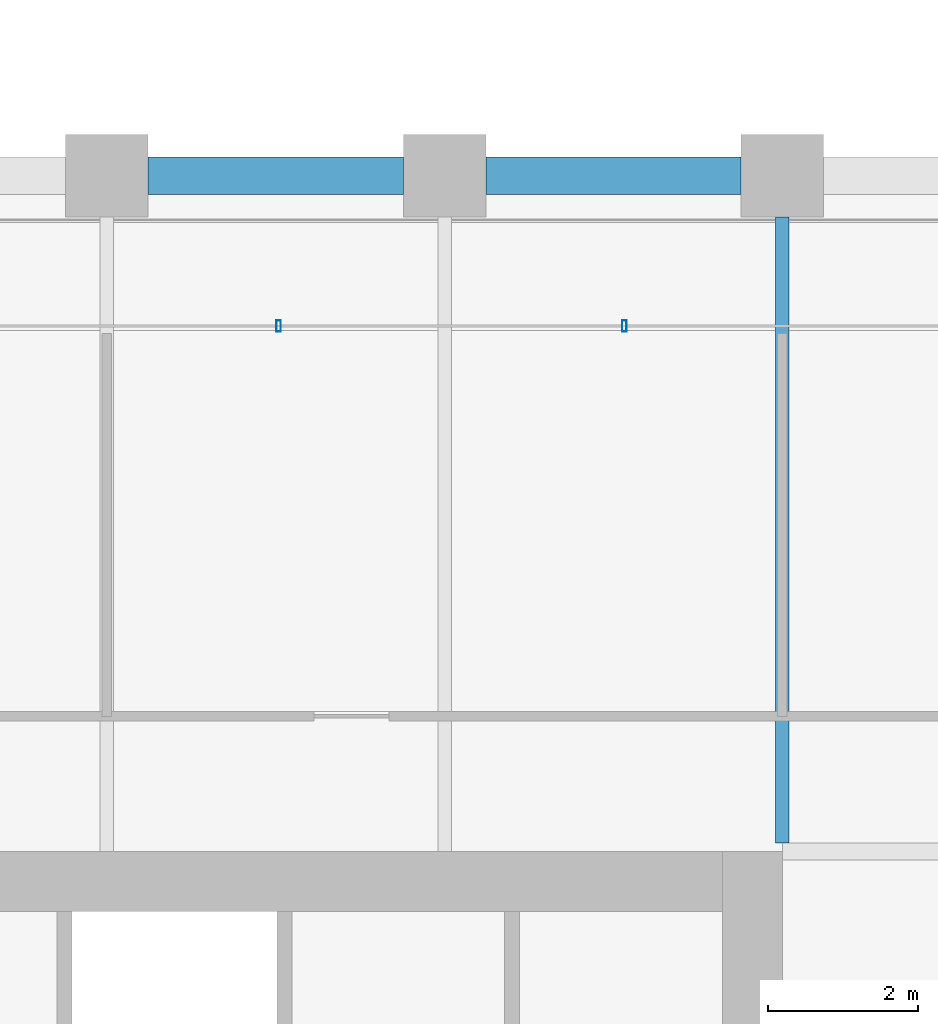
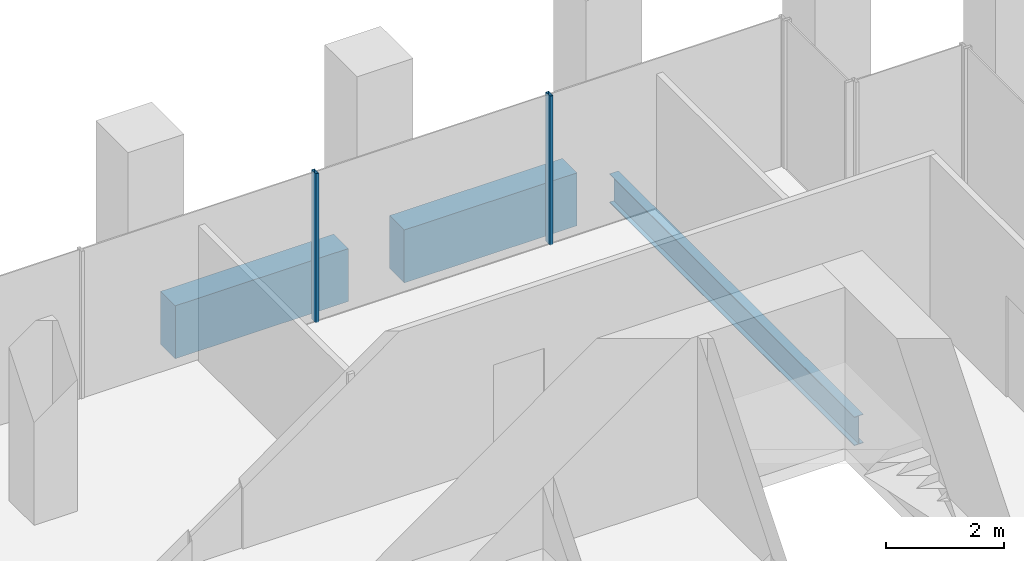
# One storey, part 44 of 54: 3 beams, 2 members, 1 element without a shape of its own.
"""IFC4 building model written with IfcOpenShell, lengths in metres."""

import ifcopenshell
import ifcopenshell.guid

model = None  # the IFC model being written
_history = None  # IfcOwnerHistory: only IFC2X3 demands one
_inside = {}  # id of a spatial element -> (the spatial element, [elements in it])
_under = {}  # id of a project, library or spatial element -> (it, [spatial elements below it])
_declared = {}  # id of a project -> (the project, [libraries it declares])
_typed = {}  # id of a type object -> (the type object, [elements of that type])
_made_of = {}  # id of a material, layer set ... -> (it, [elements and type objects made of it])


def new_model(schema):
    """Start an empty IFC model of exactly this schema.

    Asked for "IFC4X3", IfcOpenShell would pick the latest addendum, in which some entities
    have other attributes; the version numbers below select the first issue.
    IFC2X3 requires an IfcOwnerHistory on every rooted entity: one is made here for all.
    """
    global model, _history
    if schema == "IFC4X3":
        model = ifcopenshell.file(schema_version=(4, 3, 0, 0))
    else:
        model = ifcopenshell.file(schema=schema)
    _inside.clear()
    _under.clear()
    _declared.clear()
    _typed.clear()
    _made_of.clear()
    _history = None
    if model.schema == "IFC2X3":
        org = make("IfcOrganization", Name="unknown")
        user = make(
            "IfcPersonAndOrganization",
            ThePerson=make("IfcPerson", FamilyName="unknown"),
            TheOrganization=org,
        )
        app = make(
            "IfcApplication",
            ApplicationDeveloper=org,
            Version="unknown",
            ApplicationFullName="unknown",
            ApplicationIdentifier="unknown",
        )
        _history = make(
            "IfcOwnerHistory",
            OwningUser=user,
            OwningApplication=app,
            ChangeAction="ADDED",
            CreationDate=0,
        )
    return model


def make(cls, **values):
    """One entity of the class cls with the attributes given. An attribute that is None is left unset."""
    return model.create_entity(
        cls, **{name: value for name, value in values.items() if value is not None}
    )


def rooted(cls, **values):
    """An entity with a GlobalId (a new one), such as an element, a storey or a relation."""
    return make(cls, GlobalId=ifcopenshell.guid.new(), OwnerHistory=_history, **values)


def si_unit(unit_type, name, prefix=None):
    """IfcSIUnit, for example si_unit("LENGTHUNIT", "METRE", prefix="MILLI")."""
    return make("IfcSIUnit", UnitType=unit_type, Prefix=prefix, Name=name)


def assignment(units):
    """IfcUnitAssignment: the units of a project."""
    return None if units is None else make("IfcUnitAssignment", Units=units)


def point(xyz):
    """IfcCartesianPoint."""
    return None if xyz is None else make("IfcCartesianPoint", Coordinates=xyz)


def direction(xyz):
    """IfcDirection."""
    return None if xyz is None else make("IfcDirection", DirectionRatios=xyz)


def frame(location, z_axis=None, x_axis=None):
    """IfcAxis2Placement3D, a coordinate frame: its origin and axes. An axis left out is left unset."""
    return make(
        "IfcAxis2Placement3D",
        Location=point(location),
        Axis=direction(z_axis),
        RefDirection=direction(x_axis),
    )


def frame_2d(location, x_axis=None):
    """IfcAxis2Placement2D, a coordinate frame in the plane: its origin and x axis."""
    return make(
        "IfcAxis2Placement2D", Location=point(location), RefDirection=direction(x_axis)
    )


def origin():
    """The frame at (0, 0, 0) with its axes left unset."""
    return frame((0.0, 0.0, 0.0))


def origin_2d():
    """The frame at (0, 0) in the plane with its x axis left unset."""
    return frame_2d((0.0, 0.0))


def place(relative_to, where):
    """IfcLocalPlacement: puts the frame where relative to a parent placement (None: the world)."""
    return make(
        "IfcLocalPlacement", PlacementRelTo=relative_to, RelativePlacement=where
    )


def context(
    kind, dimensions, precision=None, world=None, true_north=None, identifier=None
):
    """IfcGeometricRepresentationContext, for example the 3D "Model" context."""
    return make(
        "IfcGeometricRepresentationContext",
        ContextIdentifier=identifier,
        ContextType=kind,
        CoordinateSpaceDimension=dimensions,
        Precision=precision,
        WorldCoordinateSystem=world,
        TrueNorth=true_north,
    )


def subcontext(parent, identifier, kind, view, scale=None):
    """IfcGeometricRepresentationSubContext, for example "Body" below "Model"."""
    return make(
        "IfcGeometricRepresentationSubContext",
        ContextIdentifier=identifier,
        ContextType=kind,
        ParentContext=parent,
        TargetScale=scale,
        TargetView=view,
    )


def project(units=None, contexts=None):
    """IfcProject with its units and contexts."""
    return rooted(
        "IfcProject",
        Name="project",
        RepresentationContexts=contexts,
        UnitsInContext=assignment(units),
    )


def spatial(cls, under=None, at=None, **own):
    """A site, building, storey or space (cls), placed at a placement, below another one or the project."""
    s = rooted(cls, ObjectPlacement=at, **own)
    if under is not None:
        _under.setdefault(under.id(), (under, []))[1].append(s)
    return s


def profile(cls, at=None, kind="AREA", **sizes):
    """A parametric profile (cls). Its sizes go by their IFC names, for example OverallWidth=200.0."""
    return make(cls, ProfileType=kind, Position=at, **sizes)


def rectangle(**sizes):
    """IfcRectangleProfileDef."""
    return profile("IfcRectangleProfileDef", **sizes)


def hollow_rectangle(**sizes):
    """IfcRectangleHollowProfileDef."""
    return profile("IfcRectangleHollowProfileDef", **sizes)


def i_section(**sizes):
    """IfcIShapeProfileDef."""
    return profile("IfcIShapeProfileDef", **sizes)


def extrude(swept, where, along, depth):
    """IfcExtrudedAreaSolid: the profile swept, set in the frame where, extruded along a direction by depth."""
    return make(
        "IfcExtrudedAreaSolid",
        SweptArea=swept,
        Position=where,
        ExtrudedDirection=direction(along),
        Depth=depth,
    )


def shape(context_of_items, identifier, shape_type, items):
    """IfcShapeRepresentation: the items that make up one representation, for example the "Body"."""
    return make(
        "IfcShapeRepresentation",
        ContextOfItems=context_of_items,
        RepresentationIdentifier=identifier,
        RepresentationType=shape_type,
        Items=items,
    )


def material(Name=None, Category=None):
    """IfcMaterial."""
    return make("IfcMaterial", Name=Name, Category=Category)


def material_profile(
    of_material, cross_section, Name=None, Category=None, Priority=None
):
    """IfcMaterialProfile: a cross section and its material."""
    return make(
        "IfcMaterialProfile",
        Name=Name,
        Material=of_material,
        Profile=cross_section,
        Priority=Priority,
        Category=Category,
    )


def profile_set(profiles, Name=None, composite=None):
    """IfcMaterialProfileSet."""
    return make(
        "IfcMaterialProfileSet",
        Name=Name,
        MaterialProfiles=profiles,
        CompositeProfile=composite,
    )


def made_of(thing, what):
    """Note that an element or type object is made of a material, layer set ...; save() writes the relation."""
    if what is not None:
        _made_of.setdefault(what.id(), (what, []))[1].append(thing)
    return thing


def type_object(cls, material=None, **own):
    """A type object (cls), such as IfcWallType, which elements share."""
    return made_of(rooted(cls, **own), material)


def element(
    cls,
    number,
    at=None,
    inside=None,
    cuts=None,
    type_object=None,
    material=None,
    context=None,
    identifier="Body",
    shape_type=None,
    held_by="IfcProductDefinitionShape",
    body=None,
    shapes=None,
    **own,
):
    """One element of the class cls, such as IfcWall. Its Tag is "e" and its number.

    at: its placement. inside: the storey or other place that contains it. cuts: it is an
    opening in that element (IfcRelVoidsElement). A single representation is given by context,
    identifier, shape_type and body (its items); several are given by shapes. held_by: the class
    of the entity that holds the representations. save() writes the other relations.
    """
    e = rooted(cls, Tag="e%d" % number, ObjectPlacement=at, **own)
    if body is not None:
        shapes = [shape(context, identifier, shape_type, body)]
    if shapes is not None:
        e.Representation = make(held_by, Representations=shapes)
    if inside is not None:
        _inside.setdefault(inside.id(), (inside, []))[1].append(e)
    if cuts is not None:
        rooted(
            "IfcRelVoidsElement", RelatingBuildingElement=cuts, RelatedOpeningElement=e
        )
    if type_object is not None:
        _typed.setdefault(type_object.id(), (type_object, []))[1].append(e)
    return made_of(e, material)


def aggregate(whole, parts):
    """IfcRelAggregates: a whole, such as a stair, and the parts it consists of."""
    return rooted("IfcRelAggregates", RelatingObject=whole, RelatedObjects=parts)


def save(model, path):
    """Write the relations noted so far, then the file.

    IfcRelAggregates (storeys below a building ...), IfcRelContainedInSpatialStructure (elements
    in a storey), IfcRelDefinesByType, IfcRelAssociatesMaterial and IfcRelDeclares: one each for
    every whole, place, type object, material and project.
    """
    for whole, parts in _under.values():
        aggregate(whole, parts)
    for where, things in _inside.values():
        rooted(
            "IfcRelContainedInSpatialStructure",
            RelatedElements=things,
            RelatingStructure=where,
        )
    for kind, things in _typed.values():
        rooted("IfcRelDefinesByType", RelatedObjects=things, RelatingType=kind)
    for what, things in _made_of.values():
        rooted("IfcRelAssociatesMaterial", RelatedObjects=things, RelatingMaterial=what)
    for by, libraries in _declared.values():
        rooted("IfcRelDeclares", RelatingContext=by, RelatedDefinitions=libraries)
    model.write(path)


model = new_model("IFC4")

# Units and contexts
model_context = context("Model", 3, precision=1e-05, world=origin(), true_north=direction((0.0, 1.0)))
body_context = subcontext(model_context, "Body", "Model", "MODEL_VIEW")
ifc_project = project(units=[si_unit("LENGTHUNIT", "METRE"), si_unit("AREAUNIT", "SQUARE_METRE"), si_unit("VOLUMEUNIT", "CUBIC_METRE"), si_unit("PLANEANGLEUNIT", "RADIAN"), si_unit("MASSUNIT", "GRAM", prefix="KILO")], contexts=[model_context])

# Site, building, storey
site_placement = place(None, origin())
site = spatial("IfcSite", under=ifc_project, at=site_placement, CompositionType="ELEMENT")
building_placement = place(site_placement, origin())
building = spatial("IfcBuilding", under=site, at=building_placement, Name="Altepetl Exchange Towers", CompositionType="ELEMENT")
storey_placement = place(building_placement, frame((0.0, 0.0, 61.800048828125)))
storey = spatial("IfcBuildingStorey", under=building, at=storey_placement, Name="L14", CompositionType="ELEMENT", Elevation=61.800048828125)

# Beam
ifc_material_1 = material(Name="Steel S355", Category="steel")
ifc_material_profile_1 = material_profile(ifc_material_1, i_section(OverallWidth=0.177978515625, OverallDepth=0.59912109375, WebThickness=0.010009765625, FlangeThickness=0.0126953125, at=origin_2d()), Name="W24X55")
ifc_profile_set_1 = profile_set([ifc_material_profile_1], Name="Steel S355")
beam_type_1 = type_object("IfcBeamType", Name="Floor beam W24X55", PredefinedType="BEAM", material=ifc_profile_set_1)
beam_placement = place(storey_placement, frame((117.0, 49.614013671875, -0.449462890625), z_axis=(0.0, 1.0, 0.0), x_axis=(-1.0, 0.0, 0.0)))
element("IfcBeam", 1, at=beam_placement, inside=storey, type_object=beam_type_1, Name="bm:B:L14:002", PredefinedType="BEAM", context=body_context, shape_type="SweptSolid", body=[
    extrude(i_section(OverallWidth=0.177978515625, OverallDepth=0.59912109375, WebThickness=0.010009765625, FlangeThickness=0.0126953125, at=origin_2d()), origin(), (0.0, 0.0, 1.0), 8.3359375),
])

# Curtain wall, members
ifc_material_2 = material(Name="Aluminium 6063-T6 glazing", Category="aluminium")
curtain_wall_type = type_object("IfcCurtainWallType", Name="Loggia glazing system", PredefinedType="NOTDEFINED", material=ifc_material_2)
curtain_wall_placement = place(storey_placement, origin())
curtain_wall = element("IfcCurtainWall", 2, at=curtain_wall_placement, inside=storey, type_object=curtain_wall_type, Name="CW1 run", PredefinedType="NOTDEFINED")
ifc_material_3 = material(Name="Aluminium 6063-T6", Category="aluminium")
ifc_material_profile_2 = material_profile(ifc_material_3, hollow_rectangle(XDim=0.06005859375, YDim=0.14990234375, WallThickness=0.0029296875, at=origin_2d()), Name="Mullion 60x150 aluminium")
ifc_profile_set_2 = profile_set([ifc_material_profile_2], Name="Aluminium 6063-T6")
member_type = type_object("IfcMemberType", Name="Mullion 60x150 aluminium", PredefinedType="MULLION", material=ifc_profile_set_2)
member_1_placement = place(storey_placement, frame((114.893798828125, 56.5, 0.0), z_axis=(0.0, 0.0, 1.0), x_axis=(-1.0, 0.0, 0.0)))
member_1 = element("IfcMember", 3, at=member_1_placement, type_object=member_type, Name="MU1 mullion", PredefinedType="MULLION", context=body_context, shape_type="SweptSolid", body=[
    extrude(hollow_rectangle(XDim=0.06005859375, YDim=0.14990234375, WallThickness=0.0029296875, at=origin_2d()), origin(), (0.0, 0.0, 1.0), 3.099853515625),
])
member_2_placement = place(storey_placement, frame((110.28759765625, 56.5, 0.0), z_axis=(0.0, 0.0, 1.0), x_axis=(-1.0, 0.0, 0.0)))
member_2 = element("IfcMember", 4, at=member_2_placement, type_object=member_type, Name="MU1 mullion", PredefinedType="MULLION", context=body_context, shape_type="SweptSolid", body=[
    extrude(hollow_rectangle(XDim=0.06005859375, YDim=0.14990234375, WallThickness=0.0029296875, at=origin_2d()), origin(), (0.0, 0.0, 1.0), 3.099853515625),
])
aggregate(curtain_wall, [member_1, member_2])

# Beams
ifc_material_4 = material(Name="Concrete C50/60 precast with cantera amarilla facing", Category="concrete")
ifc_material_profile_3 = material_profile(ifc_material_4, rectangle(XDim=0.5, YDim=1.10009765625, at=origin_2d()), Name="500 x 1100")
ifc_profile_set_3 = profile_set([ifc_material_profile_3], Name="Concrete C50/60 precast with cantera amarilla facing")
beam_type_2 = type_object("IfcBeamType", Name="Spandrel beam 500x1100 cantera amarilla", PredefinedType="SPANDREL", material=ifc_profile_set_3)
for number, where, z_axis, x_axis, name in (
    (5, (116.449951171875, 58.5, -0.699951171875), (-1.0, 0.0, 0.0), (0.0, -1.0, 0.0), "sp:B:L14:019"),
    (6, (111.949951171875, 58.5, -0.699951171875), (-1.0, 0.0, 0.0), (0.0, -1.0, 0.0), "sp:B:L14:020"),
):
    element("IfcBeam", number, at=place(storey_placement, frame(where, z_axis=z_axis, x_axis=x_axis)), inside=storey, type_object=beam_type_2, Name=name, PredefinedType="SPANDREL", context=body_context, shape_type="SweptSolid", body=[
        extrude(rectangle(XDim=0.5, YDim=1.10009765625, at=origin_2d()), origin(), (0.0, 0.0, 1.0), 3.39990234375),
    ])

save(model, "model.ifc")
